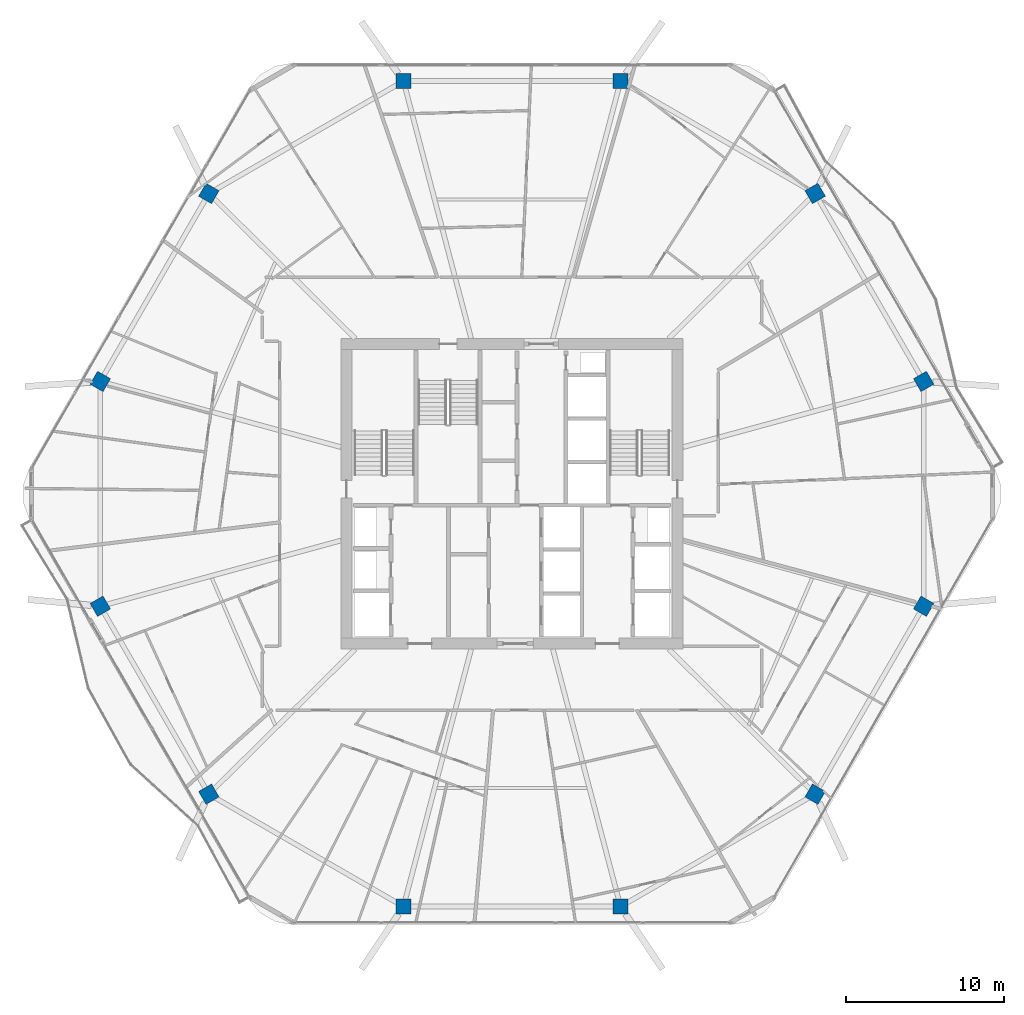
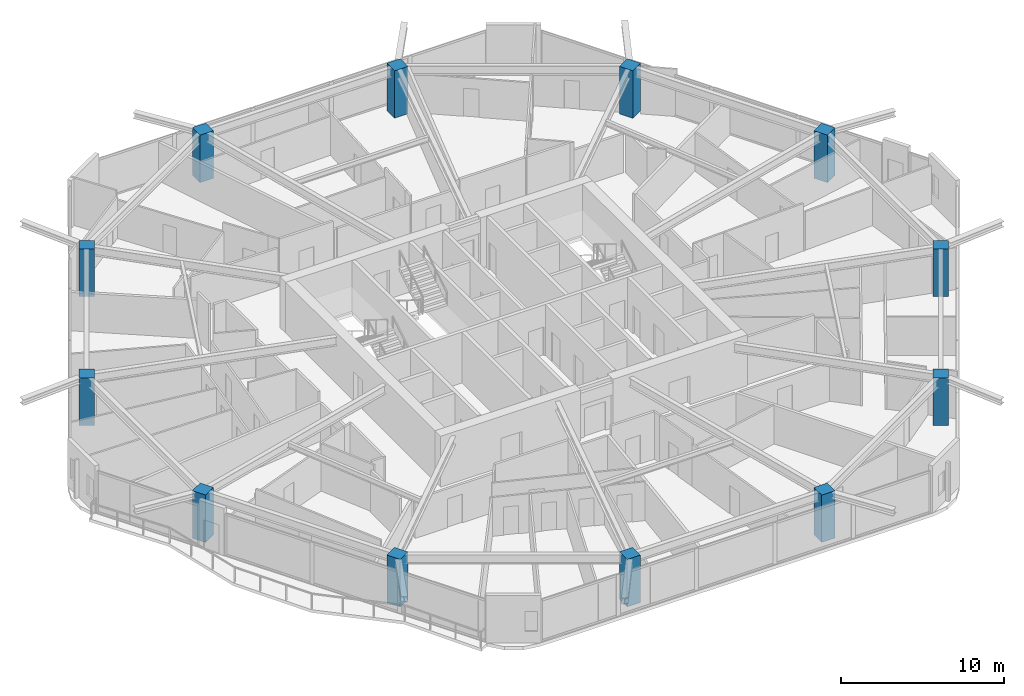
# One storey, part 1 of 26: 12 columns.
"""IFC4 building model written with IfcOpenShell, lengths in metres."""

import ifcopenshell
import ifcopenshell.guid

model = None  # the IFC model being written
_history = None  # IfcOwnerHistory: only IFC2X3 demands one
_inside = {}  # id of a spatial element -> (the spatial element, [elements in it])
_under = {}  # id of a project, library or spatial element -> (it, [spatial elements below it])
_declared = {}  # id of a project -> (the project, [libraries it declares])
_typed = {}  # id of a type object -> (the type object, [elements of that type])
_made_of = {}  # id of a material, layer set ... -> (it, [elements and type objects made of it])


def new_model(schema):
    """Start an empty IFC model of exactly this schema.

    Asked for "IFC4X3", IfcOpenShell would pick the latest addendum, in which some entities
    have other attributes; the version numbers below select the first issue.
    IFC2X3 requires an IfcOwnerHistory on every rooted entity: one is made here for all.
    """
    global model, _history
    if schema == "IFC4X3":
        model = ifcopenshell.file(schema_version=(4, 3, 0, 0))
    else:
        model = ifcopenshell.file(schema=schema)
    _inside.clear()
    _under.clear()
    _declared.clear()
    _typed.clear()
    _made_of.clear()
    _history = None
    if model.schema == "IFC2X3":
        org = make("IfcOrganization", Name="unknown")
        user = make(
            "IfcPersonAndOrganization",
            ThePerson=make("IfcPerson", FamilyName="unknown"),
            TheOrganization=org,
        )
        app = make(
            "IfcApplication",
            ApplicationDeveloper=org,
            Version="unknown",
            ApplicationFullName="unknown",
            ApplicationIdentifier="unknown",
        )
        _history = make(
            "IfcOwnerHistory",
            OwningUser=user,
            OwningApplication=app,
            ChangeAction="ADDED",
            CreationDate=0,
        )
    return model


def make(cls, **values):
    """One entity of the class cls with the attributes given. An attribute that is None is left unset."""
    return model.create_entity(
        cls, **{name: value for name, value in values.items() if value is not None}
    )


def rooted(cls, **values):
    """An entity with a GlobalId (a new one), such as an element, a storey or a relation."""
    return make(cls, GlobalId=ifcopenshell.guid.new(), OwnerHistory=_history, **values)


def si_unit(unit_type, name, prefix=None):
    """IfcSIUnit, for example si_unit("LENGTHUNIT", "METRE", prefix="MILLI")."""
    return make("IfcSIUnit", UnitType=unit_type, Prefix=prefix, Name=name)


def assignment(units):
    """IfcUnitAssignment: the units of a project."""
    return None if units is None else make("IfcUnitAssignment", Units=units)


def point(xyz):
    """IfcCartesianPoint."""
    return None if xyz is None else make("IfcCartesianPoint", Coordinates=xyz)


def direction(xyz):
    """IfcDirection."""
    return None if xyz is None else make("IfcDirection", DirectionRatios=xyz)


def frame(location, z_axis=None, x_axis=None):
    """IfcAxis2Placement3D, a coordinate frame: its origin and axes. An axis left out is left unset."""
    return make(
        "IfcAxis2Placement3D",
        Location=point(location),
        Axis=direction(z_axis),
        RefDirection=direction(x_axis),
    )


def frame_2d(location, x_axis=None):
    """IfcAxis2Placement2D, a coordinate frame in the plane: its origin and x axis."""
    return make(
        "IfcAxis2Placement2D", Location=point(location), RefDirection=direction(x_axis)
    )


def origin():
    """The frame at (0, 0, 0) with its axes left unset."""
    return frame((0.0, 0.0, 0.0))


def origin_2d():
    """The frame at (0, 0) in the plane with its x axis left unset."""
    return frame_2d((0.0, 0.0))


def place(relative_to, where):
    """IfcLocalPlacement: puts the frame where relative to a parent placement (None: the world)."""
    return make(
        "IfcLocalPlacement", PlacementRelTo=relative_to, RelativePlacement=where
    )


def context(
    kind, dimensions, precision=None, world=None, true_north=None, identifier=None
):
    """IfcGeometricRepresentationContext, for example the 3D "Model" context."""
    return make(
        "IfcGeometricRepresentationContext",
        ContextIdentifier=identifier,
        ContextType=kind,
        CoordinateSpaceDimension=dimensions,
        Precision=precision,
        WorldCoordinateSystem=world,
        TrueNorth=true_north,
    )


def subcontext(parent, identifier, kind, view, scale=None):
    """IfcGeometricRepresentationSubContext, for example "Body" below "Model"."""
    return make(
        "IfcGeometricRepresentationSubContext",
        ContextIdentifier=identifier,
        ContextType=kind,
        ParentContext=parent,
        TargetScale=scale,
        TargetView=view,
    )


def project(units=None, contexts=None):
    """IfcProject with its units and contexts."""
    return rooted(
        "IfcProject",
        Name="project",
        RepresentationContexts=contexts,
        UnitsInContext=assignment(units),
    )


def spatial(cls, under=None, at=None, **own):
    """A site, building, storey or space (cls), placed at a placement, below another one or the project."""
    s = rooted(cls, ObjectPlacement=at, **own)
    if under is not None:
        _under.setdefault(under.id(), (under, []))[1].append(s)
    return s


def profile(cls, at=None, kind="AREA", **sizes):
    """A parametric profile (cls). Its sizes go by their IFC names, for example OverallWidth=200.0."""
    return make(cls, ProfileType=kind, Position=at, **sizes)


def rectangle(**sizes):
    """IfcRectangleProfileDef."""
    return profile("IfcRectangleProfileDef", **sizes)


def extrude(swept, where, along, depth):
    """IfcExtrudedAreaSolid: the profile swept, set in the frame where, extruded along a direction by depth."""
    return make(
        "IfcExtrudedAreaSolid",
        SweptArea=swept,
        Position=where,
        ExtrudedDirection=direction(along),
        Depth=depth,
    )


def shape(context_of_items, identifier, shape_type, items):
    """IfcShapeRepresentation: the items that make up one representation, for example the "Body"."""
    return make(
        "IfcShapeRepresentation",
        ContextOfItems=context_of_items,
        RepresentationIdentifier=identifier,
        RepresentationType=shape_type,
        Items=items,
    )


def material(Name=None, Category=None):
    """IfcMaterial."""
    return make("IfcMaterial", Name=Name, Category=Category)


def material_profile(
    of_material, cross_section, Name=None, Category=None, Priority=None
):
    """IfcMaterialProfile: a cross section and its material."""
    return make(
        "IfcMaterialProfile",
        Name=Name,
        Material=of_material,
        Profile=cross_section,
        Priority=Priority,
        Category=Category,
    )


def profile_set(profiles, Name=None, composite=None):
    """IfcMaterialProfileSet."""
    return make(
        "IfcMaterialProfileSet",
        Name=Name,
        MaterialProfiles=profiles,
        CompositeProfile=composite,
    )


def made_of(thing, what):
    """Note that an element or type object is made of a material, layer set ...; save() writes the relation."""
    if what is not None:
        _made_of.setdefault(what.id(), (what, []))[1].append(thing)
    return thing


def type_object(cls, material=None, **own):
    """A type object (cls), such as IfcWallType, which elements share."""
    return made_of(rooted(cls, **own), material)


def element(
    cls,
    number,
    at=None,
    inside=None,
    cuts=None,
    type_object=None,
    material=None,
    context=None,
    identifier="Body",
    shape_type=None,
    held_by="IfcProductDefinitionShape",
    body=None,
    shapes=None,
    **own,
):
    """One element of the class cls, such as IfcWall. Its Tag is "e" and its number.

    at: its placement. inside: the storey or other place that contains it. cuts: it is an
    opening in that element (IfcRelVoidsElement). A single representation is given by context,
    identifier, shape_type and body (its items); several are given by shapes. held_by: the class
    of the entity that holds the representations. save() writes the other relations.
    """
    e = rooted(cls, Tag="e%d" % number, ObjectPlacement=at, **own)
    if body is not None:
        shapes = [shape(context, identifier, shape_type, body)]
    if shapes is not None:
        e.Representation = make(held_by, Representations=shapes)
    if inside is not None:
        _inside.setdefault(inside.id(), (inside, []))[1].append(e)
    if cuts is not None:
        rooted(
            "IfcRelVoidsElement", RelatingBuildingElement=cuts, RelatedOpeningElement=e
        )
    if type_object is not None:
        _typed.setdefault(type_object.id(), (type_object, []))[1].append(e)
    return made_of(e, material)


def aggregate(whole, parts):
    """IfcRelAggregates: a whole, such as a stair, and the parts it consists of."""
    return rooted("IfcRelAggregates", RelatingObject=whole, RelatedObjects=parts)


def save(model, path):
    """Write the relations noted so far, then the file.

    IfcRelAggregates (storeys below a building ...), IfcRelContainedInSpatialStructure (elements
    in a storey), IfcRelDefinesByType, IfcRelAssociatesMaterial and IfcRelDeclares: one each for
    every whole, place, type object, material and project.
    """
    for whole, parts in _under.values():
        aggregate(whole, parts)
    for where, things in _inside.values():
        rooted(
            "IfcRelContainedInSpatialStructure",
            RelatedElements=things,
            RelatingStructure=where,
        )
    for kind, things in _typed.values():
        rooted("IfcRelDefinesByType", RelatedObjects=things, RelatingType=kind)
    for what, things in _made_of.values():
        rooted("IfcRelAssociatesMaterial", RelatedObjects=things, RelatingMaterial=what)
    for by, libraries in _declared.values():
        rooted("IfcRelDeclares", RelatingContext=by, RelatedDefinitions=libraries)
    model.write(path)


model = new_model("IFC4")

# Units and contexts
model_context = context("Model", 3, precision=1e-05, world=origin(), true_north=direction((0.0, 1.0)))
body_context = subcontext(model_context, "Body", "Model", "MODEL_VIEW")
ifc_project = project(units=[si_unit("LENGTHUNIT", "METRE"), si_unit("AREAUNIT", "SQUARE_METRE"), si_unit("VOLUMEUNIT", "CUBIC_METRE"), si_unit("PLANEANGLEUNIT", "RADIAN"), si_unit("MASSUNIT", "GRAM", prefix="KILO")], contexts=[model_context])

# Site, building, storey
site_placement = place(None, origin())
site = spatial("IfcSite", under=ifc_project, at=site_placement, CompositionType="ELEMENT")
building_placement = place(site_placement, origin())
building = spatial("IfcBuilding", under=site, at=building_placement, Name="Zuhravey Tower", CompositionType="ELEMENT")
storey_placement = place(building_placement, frame((0.0, 0.0, 203.60009765625)))
storey = spatial("IfcBuildingStorey", under=building, at=storey_placement, Name="L51", CompositionType="ELEMENT", Elevation=203.60009765625)

# Columns
ifc_material = material(Name="Concrete C50/60", Category="concrete")
ifc_material_profile = material_profile(ifc_material, rectangle(XDim=0.949951171875, YDim=0.949951171875, at=origin_2d()), Name="RC-950x950")
ifc_profile_set = profile_set([ifc_material_profile], Name="Concrete C50/60")
column_type = type_object("IfcColumnType", Name="Zone 2 Upper Column 950x950", PredefinedType="COLUMN", material=ifc_profile_set)
for number, where, z_axis, x_axis, name in (
    (1, (62.107666015625, 39.12646484375, 0.0), (0.0, 0.0, 1.0), (-0.5, 0.866025403784, 0.0), "L51 Perimeter Column PC01"),
    (2, (55.2255859375, 51.046630859375, 0.0), (0.0, 0.0, 1.0), (-0.5, 0.866025403784, 0.0), "L51 Perimeter Column PC02"),
    (3, (42.882080078125, 58.173095703125, 0.0), (0.0, 0.0, 1.0), (-1.0, 0.0, 0.0), "L51 Perimeter Column PC03"),
    (4, (29.117919921875, 58.173095703125, 0.0), (0.0, 0.0, 1.0), (-1.0, 0.0, 0.0), "L51 Perimeter Column PC04"),
    (5, (16.7744140625, 51.046630859375, 0.0), (0.0, 0.0, 1.0), (-0.5, -0.866025403784, 0.0), "L51 Perimeter Column PC05"),
    (6, (9.892333984375, 39.12646484375, 0.0), (0.0, 0.0, 1.0), (-0.5, -0.866025403784, 0.0), "L51 Perimeter Column PC06"),
    (7, (9.892333984375, 24.87353515625, 0.0), (0.0, 0.0, 1.0), (0.5, -0.866025403784, 0.0), "L51 Perimeter Column PC07"),
    (8, (16.7744140625, 12.953369140625, 0.0), (0.0, 0.0, 1.0), (0.5, -0.866025403784, 0.0), "L51 Perimeter Column PC08"),
    (9, (29.117919921875, 5.826904296875, 0.0), (0.0, 0.0, 1.0), (1.0, 0.0, 0.0), "L51 Perimeter Column PC09"),
    (10, (42.882080078125, 5.826904296875, 0.0), (0.0, 0.0, 1.0), (1.0, 0.0, 0.0), "L51 Perimeter Column PC10"),
    (11, (55.2255859375, 12.953369140625, 0.0), (0.0, 0.0, 1.0), (0.5, 0.866025403784, 0.0), "L51 Perimeter Column PC11"),
    (12, (62.107666015625, 24.87353515625, 0.0), (0.0, 0.0, 1.0), (0.5, 0.866025403784, 0.0), "L51 Perimeter Column PC12"),
):
    element("IfcColumn", number, at=place(storey_placement, frame(where, z_axis=z_axis, x_axis=x_axis)), inside=storey, type_object=column_type, Name=name, PredefinedType="COLUMN", context=body_context, shape_type="SweptSolid", body=[
        extrude(rectangle(XDim=0.949951171875, YDim=0.949951171875, at=origin_2d()), origin(), (0.0, 0.0, 1.0), 3.5498046875),
    ])

save(model, "model.ifc")
